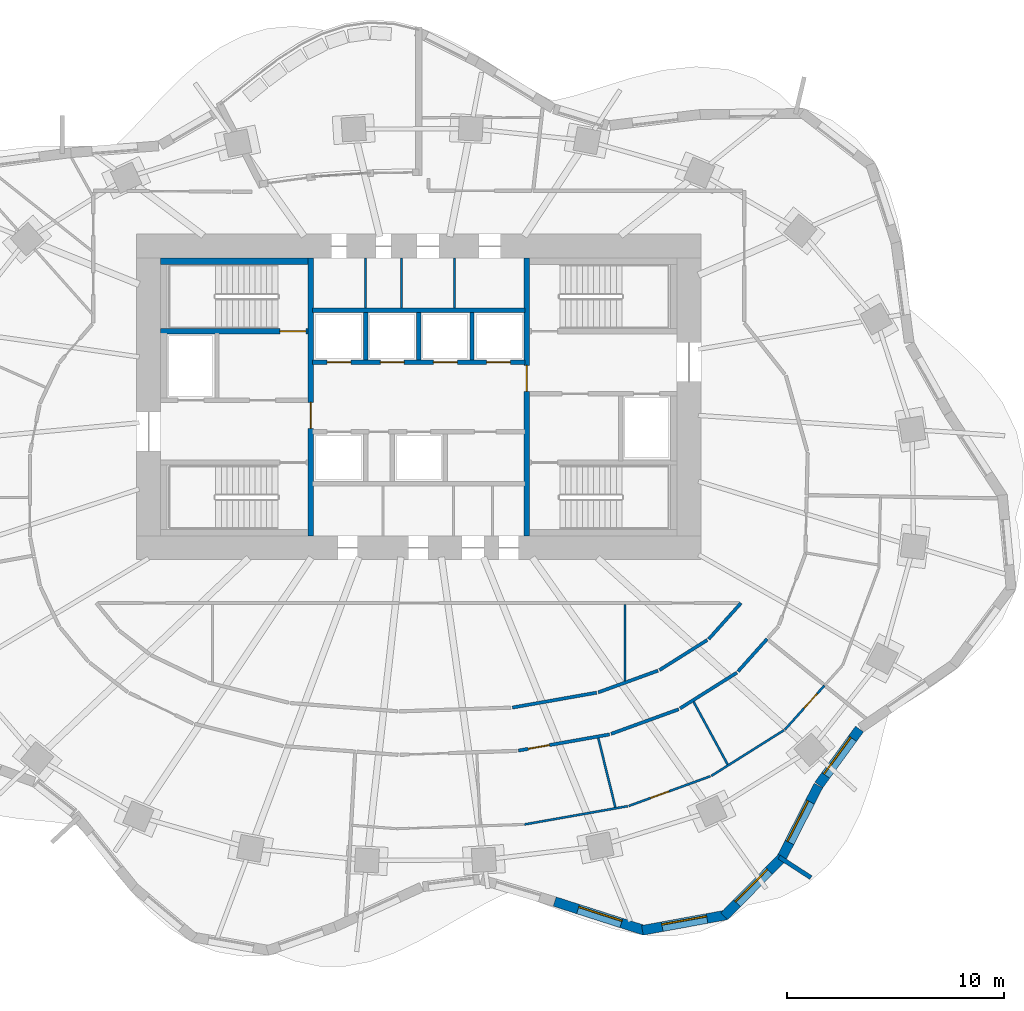
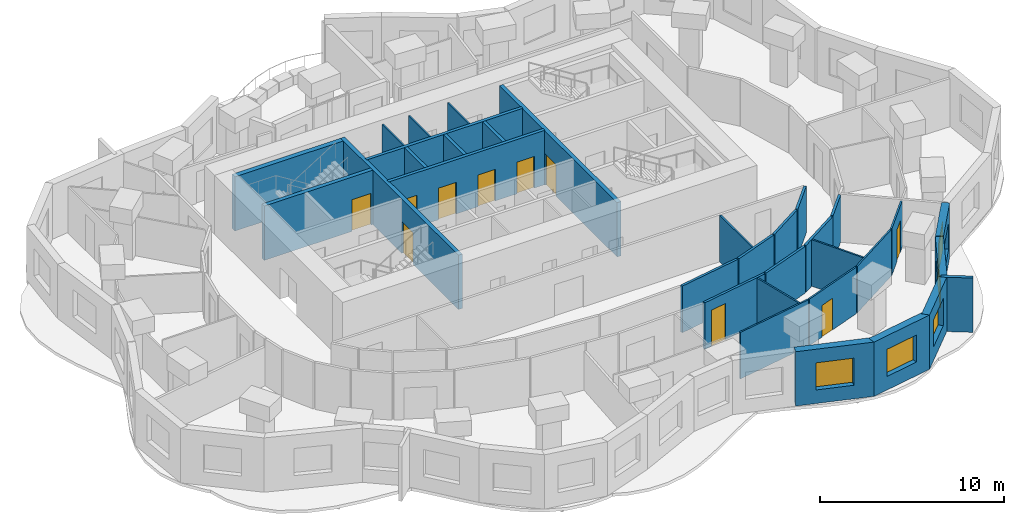
# One storey, part 7 of 11: 33 walls, 10 doors, 5 windows, 15 openings.
"""IFC4 building model written with IfcOpenShell, lengths in metres."""

from ifc_helpers import new_model, si_unit, direction, frame, frame_2d, origin, place, context, subcontext, project, spatial, rectangle, extrude, material, layer, layer_set, type_object, element, fill, save


model = new_model("IFC4")

# Units and contexts
model_context = context("Model", 3, precision=1e-05, world=origin(), true_north=direction((0.0, 1.0)))
body_context = subcontext(model_context, "Body", "Model", "MODEL_VIEW")
ifc_project = project(units=[si_unit("LENGTHUNIT", "METRE"), si_unit("AREAUNIT", "SQUARE_METRE"), si_unit("VOLUMEUNIT", "CUBIC_METRE"), si_unit("PLANEANGLEUNIT", "RADIAN"), si_unit("MASSUNIT", "GRAM", prefix="KILO")], contexts=[model_context])

# Site, building, storey
site_placement = place(None, origin())
site = spatial("IfcSite", under=ifc_project, at=site_placement, CompositionType="ELEMENT")
building_placement = place(site_placement, origin())
building = spatial("IfcBuilding", under=site, at=building_placement, Name="Rubra Terraces Tower", CompositionType="ELEMENT")
storey_placement = place(building_placement, frame((0.0, 0.0, 165.60009765625)))
storey = spatial("IfcBuildingStorey", under=building, at=storey_placement, Name="L40", CompositionType="ELEMENT", Elevation=165.60009765625)

# Wall, opening, window
ifc_material_1 = material(Name="Brick masonry red-brown", Category="masonry")
ifc_layer_1 = layer(ifc_material_1, 0.449951171875)
ifc_layer_set_1 = layer_set([ifc_layer_1], Name="Brick masonry red-brown")
wall_type_1 = type_object("IfcWallType", Name="Brick facade wall 450", PredefinedType="SOLIDWALL", material=ifc_layer_set_1)
wall_1_placement = place(storey_placement, frame((6.264404296875, -18.758544921875, 0.0), z_axis=(0.0, 0.0, 1.0), x_axis=(0.952259303219, -0.305290385423, 0.0)))
wall_1 = element("IfcWall", 1, at=wall_1_placement, inside=storey, type_object=wall_type_1, Name="Facade wall L40 bay 33", PredefinedType="SOLIDWALL", context=body_context, shape_type="SweptSolid", body=[
    extrude(rectangle(XDim=4.354248046875, YDim=0.449951171875, at=frame_2d((2.17724609375, 0.0))), origin(), (0.0, 0.0, 1.0), 3.599853515625),
])
opening_1_placement = place(wall_1_placement, frame((1.127197265625, 0.0, 0.89990234375)))
opening_1 = element("IfcOpeningElement", 2, at=opening_1_placement, cuts=wall_1, Name="Opening W1Z", PredefinedType="OPENING", context=body_context, shape_type="SweptSolid", body=[
    extrude(rectangle(XDim=2.10009765625, YDim=1.800048828125, at=frame_2d((1.050048828125, 0.89990234375))), frame((0.0, 0.23486328125, 0.0), z_axis=(0.0, -1.0, 0.0), x_axis=(1.0, 0.0, 0.0)), (0.0, 0.0, 1.0), 0.469970703125),
])
ifc_material_2 = material(Name="Clear glass in aluminium frame", Category="aluminium")
window_type = type_object("IfcWindowType", Name="Fixed deep-set window under transfer level 2100 x 1800", PartitioningType="SINGLE_PANEL", PredefinedType="WINDOW", material=ifc_material_2)
window_1_placement = place(opening_1_placement, origin())
window_1 = element("IfcWindow", 3, at=window_1_placement, inside=storey, type_object=window_type, Name="Window L40 bay 33", OverallHeight=1.800048828125, OverallWidth=2.10009765625, PartitioningType="SINGLE_PANEL", PredefinedType="WINDOW", context=body_context, shape_type="SweptSolid", body=[
    extrude(rectangle(XDim=2.10009765625, YDim=1.800048828125, at=frame_2d((1.050048828125, 0.89990234375))), frame((0.0, 0.135009765625, 0.0), z_axis=(0.0, -1.0, 0.0), x_axis=(1.0, 0.0, 0.0)), (0.0, 0.0, 1.0), 0.06005859375),
])
fill(opening_1, window_1)

wall_2_placement = place(storey_placement, frame((10.304443359375, -20.081787109375, 0.0), z_axis=(0.0, 0.0, 1.0), x_axis=(0.983644868335, 0.180118774698, 0.0)))
wall_2 = element("IfcWall", 4, at=wall_2_placement, inside=storey, type_object=wall_type_1, Name="Facade wall L40 bay 34", PredefinedType="SOLIDWALL", context=body_context, shape_type="SweptSolid", body=[
    extrude(rectangle(XDim=3.953857421875, YDim=0.449951171875, at=frame_2d((1.97705078125, 0.0))), origin(), (0.0, 0.0, 1.0), 3.599853515625),
])
opening_2_placement = place(wall_2_placement, frame((0.9267578125, 0.0, 0.89990234375)))
opening_2 = element("IfcOpeningElement", 5, at=opening_2_placement, cuts=wall_2, Name="Opening W1Z", PredefinedType="OPENING", context=body_context, shape_type="SweptSolid", body=[
    extrude(rectangle(XDim=2.10009765625, YDim=1.800048828125, at=frame_2d((1.050048828125, 0.89990234375))), frame((0.0, 0.23486328125, 0.0), z_axis=(0.0, -1.0, 0.0), x_axis=(1.0, 0.0, 0.0)), (0.0, 0.0, 1.0), 0.469970703125),
])
window_2_placement = place(opening_2_placement, origin())
window_2 = element("IfcWindow", 6, at=window_2_placement, inside=storey, type_object=window_type, Name="Window L40 bay 34", OverallHeight=1.800048828125, OverallWidth=2.10009765625, PartitioningType="SINGLE_PANEL", PredefinedType="WINDOW", context=body_context, shape_type="SweptSolid", body=[
    extrude(rectangle(XDim=2.10009765625, YDim=1.800048828125, at=frame_2d((1.050048828125, 0.89990234375))), frame((0.0, 0.135009765625, 0.0), z_axis=(0.0, -1.0, 0.0), x_axis=(1.0, 0.0, 0.0)), (0.0, 0.0, 1.0), 0.06005859375),
])
fill(opening_2, window_2)

wall_3_placement = place(storey_placement, frame((14.073974609375, -19.432861328125, 0.0), z_axis=(0.0, 0.0, 1.0), x_axis=(0.702451084622, 0.711732023808, 0.0)))
wall_3 = element("IfcWall", 7, at=wall_3_placement, inside=storey, type_object=wall_type_1, Name="Facade wall L40 bay 35", PredefinedType="SOLIDWALL", context=body_context, shape_type="SweptSolid", body=[
    extrude(rectangle(XDim=3.7880859375, YDim=0.449951171875, at=frame_2d((1.89404296875, 0.0))), origin(), (0.0, 0.0, 1.0), 3.599853515625),
])
opening_3_placement = place(wall_3_placement, frame((0.843994140625, 0.0, 0.89990234375)))
opening_3 = element("IfcOpeningElement", 8, at=opening_3_placement, cuts=wall_3, Name="Opening W1Z", PredefinedType="OPENING", context=body_context, shape_type="SweptSolid", body=[
    extrude(rectangle(XDim=2.10009765625, YDim=1.800048828125, at=frame_2d((1.050048828125, 0.89990234375))), frame((0.0, 0.23486328125, 0.0), z_axis=(0.0, -1.0, 0.0), x_axis=(1.0, 0.0, 0.0)), (0.0, 0.0, 1.0), 0.469970703125),
])
window_3_placement = place(opening_3_placement, origin())
window_3 = element("IfcWindow", 9, at=window_3_placement, inside=storey, type_object=window_type, Name="Window L40 bay 35", OverallHeight=1.800048828125, OverallWidth=2.10009765625, PartitioningType="SINGLE_PANEL", PredefinedType="WINDOW", context=body_context, shape_type="SweptSolid", body=[
    extrude(rectangle(XDim=2.10009765625, YDim=1.800048828125, at=frame_2d((1.050048828125, 0.89990234375))), frame((0.0, 0.135009765625, 0.0), z_axis=(0.0, -1.0, 0.0), x_axis=(1.0, 0.0, 0.0)), (0.0, 0.0, 1.0), 0.06005859375),
])
fill(opening_3, window_3)

wall_4_placement = place(storey_placement, frame((16.697021484375, -16.7880859375, 0.0), z_axis=(0.0, 0.0, 1.0), x_axis=(0.453390768189, 0.891311848525, 0.0)))
wall_4 = element("IfcWall", 10, at=wall_4_placement, inside=storey, type_object=wall_type_1, Name="Facade wall L40 bay 36", PredefinedType="SOLIDWALL", context=body_context, shape_type="SweptSolid", body=[
    extrude(rectangle(XDim=3.78759765625, YDim=0.449951171875, at=frame_2d((1.893798828125, 0.0))), origin(), (0.0, 0.0, 1.0), 3.599853515625),
])
opening_4_placement = place(wall_4_placement, frame((0.843994140625, 0.0, 0.89990234375)))
opening_4 = element("IfcOpeningElement", 11, at=opening_4_placement, cuts=wall_4, Name="Opening W1Z", PredefinedType="OPENING", context=body_context, shape_type="SweptSolid", body=[
    extrude(rectangle(XDim=2.10009765625, YDim=1.800048828125, at=frame_2d((1.050048828125, 0.89990234375))), frame((0.0, 0.23486328125, 0.0), z_axis=(0.0, -1.0, 0.0), x_axis=(1.0, 0.0, 0.0)), (0.0, 0.0, 1.0), 0.469970703125),
])
window_4_placement = place(opening_4_placement, origin())
window_4 = element("IfcWindow", 12, at=window_4_placement, inside=storey, type_object=window_type, Name="Window L40 bay 36", OverallHeight=1.800048828125, OverallWidth=2.10009765625, PartitioningType="SINGLE_PANEL", PredefinedType="WINDOW", context=body_context, shape_type="SweptSolid", body=[
    extrude(rectangle(XDim=2.10009765625, YDim=1.800048828125, at=frame_2d((1.050048828125, 0.89990234375))), frame((0.0, 0.135009765625, 0.0), z_axis=(0.0, -1.0, 0.0), x_axis=(1.0, 0.0, 0.0)), (0.0, 0.0, 1.0), 0.06005859375),
])
fill(opening_4, window_4)

wall_5_placement = place(storey_placement, frame((18.43408203125, -13.381103515625, 0.0), z_axis=(0.0, 0.0, 1.0), x_axis=(0.58867331001, 0.808371037384, 0.0)))
wall_5 = element("IfcWall", 13, at=wall_5_placement, inside=storey, type_object=wall_type_1, Name="Facade wall L40 bay 37", PredefinedType="SOLIDWALL", context=body_context, shape_type="SweptSolid", body=[
    extrude(rectangle(XDim=3.1826171875, YDim=0.449951171875, at=frame_2d((1.59130859375, 0.0))), origin(), (0.0, 0.0, 1.0), 3.599853515625),
])
opening_5_placement = place(wall_5_placement, frame((0.541259765625, 0.0, 0.89990234375)))
opening_5 = element("IfcOpeningElement", 14, at=opening_5_placement, cuts=wall_5, Name="Opening W1Z", PredefinedType="OPENING", context=body_context, shape_type="SweptSolid", body=[
    extrude(rectangle(XDim=2.10009765625, YDim=1.800048828125, at=frame_2d((1.050048828125, 0.89990234375))), frame((0.0, 0.23486328125, 0.0), z_axis=(0.0, -1.0, 0.0), x_axis=(1.0, 0.0, 0.0)), (0.0, 0.0, 1.0), 0.469970703125),
])
window_5_placement = place(opening_5_placement, origin())
window_5 = element("IfcWindow", 15, at=window_5_placement, inside=storey, type_object=window_type, Name="Window L40 bay 37", OverallHeight=1.800048828125, OverallWidth=2.10009765625, PartitioningType="SINGLE_PANEL", PredefinedType="WINDOW", context=body_context, shape_type="SweptSolid", body=[
    extrude(rectangle(XDim=2.10009765625, YDim=1.800048828125, at=frame_2d((1.050048828125, 0.89990234375))), frame((0.0, 0.135009765625, 0.0), z_axis=(0.0, -1.0, 0.0), x_axis=(1.0, 0.0, 0.0)), (0.0, 0.0, 1.0), 0.06005859375),
])
fill(opening_5, window_5)

# Wall
ifc_layer_2 = layer(ifc_material_1, 0.199951171875)
ifc_layer_set_2 = layer_set([ifc_layer_2], Name="Brick masonry red-brown")
wall_type_2 = type_object("IfcWallType", Name="Brick wind fin 200", PredefinedType="SOLIDWALL", material=ifc_layer_set_2)
wall_6_placement = place(storey_placement, frame((16.60205078125, -16.702880859375, 0.0), z_axis=(0.0, 0.0, 1.0), x_axis=(0.8390232549, -0.54409555938, 0.0)))
element("IfcWall", 16, at=wall_6_placement, inside=storey, type_object=wall_type_2, Name="Wind fin L40 18", PredefinedType="SOLIDWALL", context=body_context, shape_type="SweptSolid", body=[
    extrude(rectangle(XDim=1.75, YDim=0.199951171875, at=frame_2d((0.875, 0.0))), origin(), (0.0, 0.0, 1.0), 3.599853515625),
])

# Wall, opening, door
ifc_material_3 = material(Name="Plasterboard on steel stud, mineral wool infill", Category="steel")
ifc_layer_3 = layer(ifc_material_3, 0.14990234375)
ifc_layer_set_3 = layer_set([ifc_layer_3], Name="Plasterboard on steel stud, mineral wool infill")
wall_type_3 = type_object("IfcWallType", Name="CORRIDOR PARTITION 150", PredefinedType="PARTITIONING", material=ifc_layer_set_3)
wall_7_placement = place(storey_placement, frame((4.593505859375, -11.798583984375, 0.0), z_axis=(0.0, 0.0, 1.0), x_axis=(0.984693444773, 0.174295208833, 0.0)))
wall_7 = element("IfcWall", 17, at=wall_7_placement, inside=storey, type_object=wall_type_3, Name="PARTITION", PredefinedType="PARTITIONING", context=body_context, shape_type="SweptSolid", body=[
    extrude(rectangle(XDim=4.260986328125, YDim=0.14990234375, at=frame_2d((2.13037109375, 0.0))), origin(), (0.0, 0.0, 1.0), 3.097900390625),
])
opening_6_placement = place(wall_7_placement, frame((0.449951171875, 0.0, 0.0)))
opening_6 = element("IfcOpeningElement", 18, at=opening_6_placement, cuts=wall_7, Name="Opening 40-112", PredefinedType="OPENING", context=body_context, shape_type="SweptSolid", body=[
    extrude(rectangle(XDim=1.0, YDim=2.39990234375, at=frame_2d((0.5, 1.199951171875))), frame((0.0, 0.0849609375, 0.0), z_axis=(0.0, -1.0, 0.0), x_axis=(1.0, 0.0, 0.0)), (0.0, 0.0, 1.0), 0.169921875),
])
ifc_material_4 = material(Name="Glazed aluminium meeting door leaf", Category="aluminium")
door_type_1 = type_object("IfcDoorType", Name="MEETING ROOM GLAZED DOOR 1000 X 2400", OperationType="SINGLE_SWING_LEFT", PredefinedType="DOOR", material=ifc_material_4)
door_1_placement = place(opening_6_placement, origin())
door_1 = element("IfcDoor", 19, at=door_1_placement, inside=storey, type_object=door_type_1, Name="DOOR 40-112", OperationType="SINGLE_SWING_RIGHT", OverallHeight=2.39990234375, OverallWidth=1.0, PredefinedType="DOOR", context=body_context, shape_type="SweptSolid", body=[
    extrude(rectangle(XDim=1.0, YDim=2.39990234375, at=frame_2d((0.5, 1.199951171875))), frame((0.0, 0.02490234375, 0.0), z_axis=(0.0, -1.0, 0.0), x_axis=(1.0, 0.0, 0.0)), (0.0, 0.0, 1.0), 0.050048828125),
])
fill(opening_6, door_1)

# Walls
wall_8_placement = place(storey_placement, frame((8.85986328125, -11.030029296875, 0.0), z_axis=(0.0, 0.0, 1.0), x_axis=(0.939685902536, 0.342038601001, 0.0)))
element("IfcWall", 20, at=wall_8_placement, inside=storey, type_object=wall_type_3, Name="PARTITION", PredefinedType="PARTITIONING", context=body_context, shape_type="SweptSolid", body=[
    extrude(rectangle(XDim=3.316162109375, YDim=0.14990234375, at=frame_2d((1.658203125, 0.0))), origin(), (0.0, 0.0, 1.0), 3.097900390625),
])
wall_9_placement = place(storey_placement, frame((12.03955078125, -9.85595703125, 0.0), z_axis=(0.0, 0.0, 1.0), x_axis=(0.846394809937, 0.532555936697, 0.0)))
element("IfcWall", 21, at=wall_9_placement, inside=storey, type_object=wall_type_3, Name="PARTITION", PredefinedType="PARTITIONING", context=body_context, shape_type="SweptSolid", body=[
    extrude(rectangle(XDim=3.09521484375, YDim=0.14990234375, at=frame_2d((1.547607421875, 0.0))), origin(), (0.0, 0.0, 1.0), 3.097900390625),
])
wall_10_placement = place(storey_placement, frame((14.70947265625, -8.151611328125, 0.0), z_axis=(0.0, 0.0, 1.0), x_axis=(0.667345221437, 0.744748518243, 0.0)))
element("IfcWall", 22, at=wall_10_placement, inside=storey, type_object=wall_type_3, Name="PARTITION", PredefinedType="PARTITIONING", context=body_context, shape_type="SweptSolid", body=[
    extrude(rectangle(XDim=2.00927734375, YDim=0.14990234375, at=frame_2d((1.004638671875, 0.0))), origin(), (0.0, 0.0, 1.0), 3.097900390625),
])
wall_11_placement = place(storey_placement, frame((14.847900390625, -5.0, 0.0), z_axis=(0.0, 0.0, 1.0), x_axis=(-0.667363249373, -0.744732363595, 0.0)))
element("IfcWall", 23, at=wall_11_placement, inside=storey, type_object=wall_type_3, Name="PARTITION", PredefinedType="PARTITIONING", context=body_context, shape_type="SweptSolid", body=[
    extrude(rectangle(XDim=2.234130859375, YDim=0.14990234375, at=frame_2d((1.1171875, 0.0))), origin(), (0.0, 0.0, 1.0), 3.097900390625),
])
wall_12_placement = place(storey_placement, frame((13.29345703125, -6.703857421875, 0.0), z_axis=(0.0, 0.0, 1.0), x_axis=(-0.84641299998, -0.532527026041, 0.0)))
element("IfcWall", 24, at=wall_12_placement, inside=storey, type_object=wall_type_3, Name="PARTITION", PredefinedType="PARTITIONING", context=body_context, shape_type="SweptSolid", body=[
    extrude(rectangle(XDim=2.601806640625, YDim=0.14990234375, at=frame_2d((1.30078125, 0.0))), origin(), (0.0, 0.0, 1.0), 3.097900390625),
])
wall_13_placement = place(storey_placement, frame((11.02099609375, -8.114990234375, 0.0), z_axis=(0.0, 0.0, 1.0), x_axis=(-0.939683845313, -0.342044252778, 0.0)))
element("IfcWall", 25, at=wall_13_placement, inside=storey, type_object=wall_type_3, Name="PARTITION", PredefinedType="PARTITIONING", context=body_context, shape_type="SweptSolid", body=[
    extrude(rectangle(XDim=2.9287109375, YDim=0.14990234375, at=frame_2d((1.46435546875, 0.0))), origin(), (0.0, 0.0, 1.0), 3.097900390625),
])
wall_14_placement = place(storey_placement, frame((8.1953125, -9.1298828125, 0.0), z_axis=(0.0, 0.0, 1.0), x_axis=(-0.9846880937, -0.174325437403, 0.0)))
element("IfcWall", 26, at=wall_14_placement, inside=storey, type_object=wall_type_3, Name="PARTITION", PredefinedType="PARTITIONING", context=body_context, shape_type="SweptSolid", body=[
    extrude(rectangle(XDim=3.945068359375, YDim=0.14990234375, at=frame_2d((1.97265625, 0.0))), origin(), (0.0, 0.0, 1.0), 3.097900390625),
])
ifc_material_5 = material(Name="Concrete C40", Category="concrete")
ifc_layer_4 = layer(ifc_material_5, 0.300048828125)
ifc_layer_set_4 = layer_set([ifc_layer_4], Name="Concrete C40")
wall_type_4 = type_object("IfcWallType", Name="Core lining wall 300 concrete", PredefinedType="SOLIDWALL", material=ifc_layer_set_4)
wall_15_placement = place(storey_placement, frame((-11.89990234375, 10.75, 0.0), z_axis=(0.0, 0.0, 1.0), x_axis=(1.0, 0.0, 0.0)))
element("IfcWall", 27, at=wall_15_placement, inside=storey, type_object=wall_type_4, Name="CORE LINING WALL L40", PredefinedType="SOLIDWALL", context=body_context, shape_type="SweptSolid", body=[
    extrude(rectangle(XDim=6.7998046875, YDim=0.300048828125, at=frame_2d((3.39990234375, 0.0))), origin(), (0.0, 0.0, 1.0), 3.599853515625),
])

# Wall, openings, doors
ifc_material_6 = material(Name="Concrete C30", Category="concrete")
ifc_layer_5 = layer(ifc_material_6, 0.199951171875)
ifc_layer_set_5 = layer_set([ifc_layer_5], Name="Concrete C30")
wall_type_5 = type_object("IfcWallType", Name="Core wall 200 concrete", PredefinedType="SOLIDWALL", material=ifc_layer_set_5)
wall_16_placement = place(storey_placement, frame((-4.89990234375, 6.10009765625, 0.0), z_axis=(0.0, 0.0, 1.0), x_axis=(1.0, 0.0, 0.0)))
wall_16 = element("IfcWall", 28, at=wall_16_placement, inside=storey, type_object=wall_type_5, Name="LIFT SHAFT WALL L40", PredefinedType="SOLIDWALL", context=body_context, shape_type="SweptSolid", body=[
    extrude(rectangle(XDim=9.7998046875, YDim=0.199951171875, at=frame_2d((4.89990234375, 0.0))), origin(), (0.0, 0.0, 1.0), 3.599853515625),
])
opening_7_placement = place(wall_16_placement, frame((0.675048828125, 0.0, 0.0)))
opening_7 = element("IfcOpeningElement", 29, at=opening_7_placement, cuts=wall_16, Name="Opening L40.C17", PredefinedType="OPENING", context=body_context, shape_type="SweptSolid", body=[
    extrude(rectangle(XDim=1.10009765625, YDim=2.10009765625, at=frame_2d((0.550048828125, 1.050048828125))), frame((0.0, 0.10986328125, 0.0), z_axis=(0.0, -1.0, 0.0), x_axis=(1.0, 0.0, 0.0)), (0.0, 0.0, 1.0), 0.219970703125),
])
opening_8_placement = place(wall_16_placement, frame((3.125, 0.0, 0.0)))
opening_8 = element("IfcOpeningElement", 30, at=opening_8_placement, cuts=wall_16, Name="Opening L40.C18", PredefinedType="OPENING", context=body_context, shape_type="SweptSolid", body=[
    extrude(rectangle(XDim=1.10009765625, YDim=2.10009765625, at=frame_2d((0.550048828125, 1.050048828125))), frame((0.0, 0.10986328125, 0.0), z_axis=(0.0, -1.0, 0.0), x_axis=(1.0, 0.0, 0.0)), (0.0, 0.0, 1.0), 0.219970703125),
])
opening_9_placement = place(wall_16_placement, frame((5.574951171875, 0.0, 0.0)))
opening_9 = element("IfcOpeningElement", 31, at=opening_9_placement, cuts=wall_16, Name="Opening L40.C19", PredefinedType="OPENING", context=body_context, shape_type="SweptSolid", body=[
    extrude(rectangle(XDim=1.10009765625, YDim=2.10009765625, at=frame_2d((0.550048828125, 1.050048828125))), frame((0.0, 0.10986328125, 0.0), z_axis=(0.0, -1.0, 0.0), x_axis=(1.0, 0.0, 0.0)), (0.0, 0.0, 1.0), 0.219970703125),
])
opening_10_placement = place(wall_16_placement, frame((8.02490234375, 0.0, 0.0)))
opening_10 = element("IfcOpeningElement", 32, at=opening_10_placement, cuts=wall_16, Name="Opening L40.C20", PredefinedType="OPENING", context=body_context, shape_type="SweptSolid", body=[
    extrude(rectangle(XDim=1.10009765625, YDim=2.10009765625, at=frame_2d((0.550048828125, 1.050048828125))), frame((0.0, 0.10986328125, 0.0), z_axis=(0.0, -1.0, 0.0), x_axis=(1.0, 0.0, 0.0)), (0.0, 0.0, 1.0), 0.219970703125),
])
ifc_material_7 = material(Name="Stainless steel", Category="steel")
door_type_2 = type_object("IfcDoorType", Name="Lift landing door 1100x2100", OperationType="NOTDEFINED", PredefinedType="DOOR", material=ifc_material_7)
door_2_placement = place(opening_7_placement, origin())
door_2 = element("IfcDoor", 33, at=door_2_placement, inside=storey, type_object=door_type_2, Name="Landing door HB3", OperationType="SLIDING_TO_RIGHT", OverallHeight=2.10009765625, OverallWidth=1.10009765625, PredefinedType="DOOR", context=body_context, shape_type="SweptSolid", body=[
    extrude(rectangle(XDim=1.10009765625, YDim=2.10009765625, at=frame_2d((0.550048828125, 1.050048828125))), frame((0.0, 0.02490234375, 0.0), z_axis=(0.0, -1.0, 0.0), x_axis=(1.0, 0.0, 0.0)), (0.0, 0.0, 1.0), 0.050048828125),
])
fill(opening_7, door_2)
door_3_placement = place(opening_8_placement, origin())
door_3 = element("IfcDoor", 34, at=door_3_placement, inside=storey, type_object=door_type_2, Name="Landing door HB4", OperationType="SLIDING_TO_LEFT", OverallHeight=2.10009765625, OverallWidth=1.10009765625, PredefinedType="DOOR", context=body_context, shape_type="SweptSolid", body=[
    extrude(rectangle(XDim=1.10009765625, YDim=2.10009765625, at=frame_2d((0.550048828125, 1.050048828125))), frame((0.0, 0.02490234375, 0.0), z_axis=(0.0, -1.0, 0.0), x_axis=(1.0, 0.0, 0.0)), (0.0, 0.0, 1.0), 0.050048828125),
])
fill(opening_8, door_3)
door_4_placement = place(opening_9_placement, origin())
door_4 = element("IfcDoor", 35, at=door_4_placement, inside=storey, type_object=door_type_2, Name="Landing door HB5", OperationType="SLIDING_TO_RIGHT", OverallHeight=2.10009765625, OverallWidth=1.10009765625, PredefinedType="DOOR", context=body_context, shape_type="SweptSolid", body=[
    extrude(rectangle(XDim=1.10009765625, YDim=2.10009765625, at=frame_2d((0.550048828125, 1.050048828125))), frame((0.0, 0.02490234375, 0.0), z_axis=(0.0, -1.0, 0.0), x_axis=(1.0, 0.0, 0.0)), (0.0, 0.0, 1.0), 0.050048828125),
])
fill(opening_9, door_4)
door_5_placement = place(opening_10_placement, origin())
door_5 = element("IfcDoor", 36, at=door_5_placement, inside=storey, type_object=door_type_2, Name="Landing door HB6", OperationType="SLIDING_TO_LEFT", OverallHeight=2.10009765625, OverallWidth=1.10009765625, PredefinedType="DOOR", context=body_context, shape_type="SweptSolid", body=[
    extrude(rectangle(XDim=1.10009765625, YDim=2.10009765625, at=frame_2d((0.550048828125, 1.050048828125))), frame((0.0, 0.02490234375, 0.0), z_axis=(0.0, -1.0, 0.0), x_axis=(1.0, 0.0, 0.0)), (0.0, 0.0, 1.0), 0.050048828125),
])
fill(opening_10, door_5)

# Walls
wall_17_placement = place(storey_placement, frame((-4.89990234375, 8.5, 0.0), z_axis=(0.0, 0.0, 1.0), x_axis=(1.0, 0.0, 0.0)))
element("IfcWall", 37, at=wall_17_placement, inside=storey, type_object=wall_type_5, Name="LIFT SHAFT WALL L40", PredefinedType="SOLIDWALL", context=body_context, shape_type="SweptSolid", body=[
    extrude(rectangle(XDim=9.7998046875, YDim=0.199951171875, at=frame_2d((4.89990234375, 0.0))), origin(), (0.0, 0.0, 1.0), 3.599853515625),
])
for number, where, z_axis, x_axis, name in (
    (38, (-2.449951171875, 6.199951171875, 0.0), (0.0, 0.0, 1.0), (0.0, 1.0, 0.0), "LIFT SHAFT WALL L40"),
    (39, (0.0, 6.199951171875, 0.0), (0.0, 0.0, 1.0), (0.0, 1.0, 0.0), "LIFT SHAFT WALL L40"),
    (40, (2.449951171875, 6.199951171875, 0.0), (0.0, 0.0, 1.0), (0.0, 1.0, 0.0), "LIFT SHAFT WALL L40"),
):
    element("IfcWall", number, at=place(storey_placement, frame(where, z_axis=z_axis, x_axis=x_axis)), inside=storey, type_object=wall_type_5, Name=name, PredefinedType="SOLIDWALL", context=body_context, shape_type="SweptSolid", body=[
        extrude(rectangle(XDim=2.199951171875, YDim=0.199951171875, at=frame_2d((1.10009765625, 0.0))), origin(), (0.0, 0.0, 1.0), 3.599853515625),
    ])

# Wall, opening, door
ifc_material_8 = material(Name="Plasterboard on steel stud", Category="steel")
ifc_layer_6 = layer(ifc_material_8, 0.10009765625)
ifc_layer_set_6 = layer_set([ifc_layer_6], Name="Plasterboard on steel stud")
wall_type_6 = type_object("IfcWallType", Name="ROOM PARTITION 100", PredefinedType="PARTITIONING", material=ifc_layer_set_6)
wall_18_placement = place(storey_placement, frame((18.689208984375, -8.804931640625, 0.0), z_axis=(0.0, 0.0, 1.0), x_axis=(-0.667327137391, -0.74476472238, 0.0)))
wall_18 = element("IfcWall", 41, at=wall_18_placement, inside=storey, type_object=wall_type_6, Name="PARTITION", PredefinedType="PARTITIONING", context=body_context, shape_type="SweptSolid", body=[
    extrude(rectangle(XDim=2.720703125, YDim=0.10009765625, at=frame_2d((1.3603515625, 0.0))), origin(), (0.0, 0.0, 1.0), 3.083984375),
])
opening_11_placement = place(wall_18_placement, frame((0.5, 0.0, 0.0)))
opening_11 = element("IfcOpeningElement", 42, at=opening_11_placement, cuts=wall_18, Name="Opening 40-114", PredefinedType="OPENING", context=body_context, shape_type="SweptSolid", body=[
    extrude(rectangle(XDim=0.89990234375, YDim=2.10009765625, at=frame_2d((0.449951171875, 1.050048828125))), frame((0.0, 0.06005859375, 0.0), z_axis=(0.0, -1.0, 0.0), x_axis=(1.0, 0.0, 0.0)), (0.0, 0.0, 1.0), 0.1201171875),
])
ifc_material_9 = material(Name="Painted timber door leaf", Category="wood")
door_type_3 = type_object("IfcDoorType", Name="ROOM DOOR 900 X 2100", OperationType="SINGLE_SWING_LEFT", PredefinedType="DOOR", material=ifc_material_9)
door_6_placement = place(opening_11_placement, origin())
door_6 = element("IfcDoor", 43, at=door_6_placement, inside=storey, type_object=door_type_3, Name="DOOR 40-114", OperationType="SINGLE_SWING_LEFT", OverallHeight=2.10009765625, OverallWidth=0.89990234375, PredefinedType="DOOR", context=body_context, shape_type="SweptSolid", body=[
    extrude(rectangle(XDim=0.89990234375, YDim=2.10009765625, at=frame_2d((0.449951171875, 1.050048828125))), frame((0.0, 0.02490234375, 0.0), z_axis=(0.0, -1.0, 0.0), x_axis=(1.0, 0.0, 0.0)), (0.0, 0.0, 1.0), 0.050048828125),
])
fill(opening_11, door_6)

# Wall
wall_19_placement = place(storey_placement, frame((16.831298828125, -10.85791015625, 0.0), z_axis=(0.0, 0.0, 1.0), x_axis=(-0.846415033443, -0.532523793987, 0.0)))
element("IfcWall", 44, at=wall_19_placement, inside=storey, type_object=wall_type_6, Name="PARTITION", PredefinedType="PARTITIONING", context=body_context, shape_type="SweptSolid", body=[
    extrude(rectangle(XDim=3.959716796875, YDim=0.10009765625, at=frame_2d((1.97998046875, 0.0))), origin(), (0.0, 0.0, 1.0), 3.083984375),
])

# Wall, opening, door
wall_20_placement = place(storey_placement, frame((13.432861328125, -12.983642578125, 0.0), z_axis=(0.0, 0.0, 1.0), x_axis=(-0.939673979614, -0.342071355182, 0.0)))
wall_20 = element("IfcWall", 45, at=wall_20_placement, inside=storey, type_object=wall_type_6, Name="PARTITION", PredefinedType="PARTITIONING", context=body_context, shape_type="SweptSolid", body=[
    extrude(rectangle(XDim=4.000244140625, YDim=0.10009765625, at=frame_2d((2.0, 0.0))), origin(), (0.0, 0.0, 1.0), 3.083984375),
])
opening_12_placement = place(wall_20_placement, frame((2.031005859375, 0.0, 0.0)))
opening_12 = element("IfcOpeningElement", 46, at=opening_12_placement, cuts=wall_20, Name="Opening 40-113", PredefinedType="OPENING", context=body_context, shape_type="SweptSolid", body=[
    extrude(rectangle(XDim=0.89990234375, YDim=2.10009765625, at=frame_2d((0.449951171875, 1.050048828125))), frame((0.0, 0.06005859375, 0.0), z_axis=(0.0, -1.0, 0.0), x_axis=(1.0, 0.0, 0.0)), (0.0, 0.0, 1.0), 0.1201171875),
])
door_7_placement = place(opening_12_placement, origin())
door_7 = element("IfcDoor", 47, at=door_7_placement, inside=storey, type_object=door_type_3, Name="DOOR 40-113", OperationType="SINGLE_SWING_LEFT", OverallHeight=2.10009765625, OverallWidth=0.89990234375, PredefinedType="DOOR", context=body_context, shape_type="SweptSolid", body=[
    extrude(rectangle(XDim=0.89990234375, YDim=2.10009765625, at=frame_2d((0.449951171875, 1.050048828125))), frame((0.0, 0.02490234375, 0.0), z_axis=(0.0, -1.0, 0.0), x_axis=(1.0, 0.0, 0.0)), (0.0, 0.0, 1.0), 0.050048828125),
])
fill(opening_12, door_7)

# Walls
wall_21_placement = place(storey_placement, frame((9.624755859375, -14.36083984375, 0.0), z_axis=(0.0, 0.0, 1.0), x_axis=(-0.984691710098, -0.174305008716, 0.0)))
element("IfcWall", 48, at=wall_21_placement, inside=storey, type_object=wall_type_6, Name="PARTITION", PredefinedType="PARTITIONING", context=body_context, shape_type="SweptSolid", body=[
    extrude(rectangle(XDim=4.82373046875, YDim=0.10009765625, at=frame_2d((2.411865234375, 0.0))), origin(), (0.0, 0.0, 1.0), 3.083984375),
])
wall_22_placement = place(storey_placement, frame((8.27099609375, -11.223388671875, 0.0), z_axis=(0.0, 0.0, 1.0), x_axis=(0.239472113502, -0.970903242787, 0.0)))
element("IfcWall", 49, at=wall_22_placement, inside=storey, type_object=wall_type_6, Name="PARTITION", PredefinedType="PARTITIONING", context=body_context, shape_type="SweptSolid", body=[
    extrude(rectangle(XDim=3.28271484375, YDim=0.10009765625, at=frame_2d((1.641357421875, 0.0))), origin(), (0.0, 0.0, 1.0), 3.083984375),
])
wall_23_placement = place(storey_placement, frame((12.662841796875, -9.552001953125, 0.0), z_axis=(0.0, 0.0, 1.0), x_axis=(0.477480862917, -0.878642148743, 0.0)))
element("IfcWall", 50, at=wall_23_placement, inside=storey, type_object=wall_type_6, Name="PARTITION", PredefinedType="PARTITIONING", context=body_context, shape_type="SweptSolid", body=[
    extrude(rectangle(XDim=3.281982421875, YDim=0.10009765625, at=frame_2d((1.64111328125, 0.0))), origin(), (0.0, 0.0, 1.0), 3.083984375),
])
wall_24_placement = place(storey_placement, frame((9.5, -8.59375, 0.0), z_axis=(0.0, 0.0, 1.0), x_axis=(0.0, 1.0, 0.0)))
element("IfcWall", 51, at=wall_24_placement, inside=storey, type_object=wall_type_6, Name="PARTITION", PredefinedType="PARTITIONING", context=body_context, shape_type="SweptSolid", body=[
    extrude(rectangle(XDim=3.518798828125, YDim=0.10009765625, at=frame_2d((1.75927734375, 0.0))), origin(), (0.0, 0.0, 1.0), 3.083984375),
])
ifc_material_10 = material(Name="Blockwork", Category="masonry")
ifc_layer_7 = layer(ifc_material_10, 0.10009765625)
ifc_layer_set_7 = layer_set([ifc_layer_7], Name="Blockwork")
wall_type_7 = type_object("IfcWallType", Name="Service partition 100 blockwork", PredefinedType="PARTITIONING", material=ifc_layer_set_7)
for number, where, z_axis, x_axis, name in (
    (52, (-2.449951171875, 8.60009765625, 0.0), (0.0, 0.0, 1.0), (0.0, 1.0, 0.0), "SERVICE ROOM PARTITION L40"),
    (53, (-0.800048828125, 8.60009765625, 0.0), (0.0, 0.0, 1.0), (0.0, 1.0, 0.0), "SERVICE ROOM PARTITION L40"),
    (54, (1.64990234375, 8.60009765625, 0.0), (0.0, 0.0, 1.0), (0.0, 1.0, 0.0), "SERVICE ROOM PARTITION L40"),
):
    element("IfcWall", number, at=place(storey_placement, frame(where, z_axis=z_axis, x_axis=x_axis)), inside=storey, type_object=wall_type_7, Name=name, PredefinedType="PARTITIONING", context=body_context, shape_type="SweptSolid", body=[
        extrude(rectangle(XDim=2.2998046875, YDim=0.10009765625, at=frame_2d((1.14990234375, 0.0))), origin(), (0.0, 0.0, 1.0), 3.599853515625),
    ])

# Wall, opening, door
ifc_layer_8 = layer(ifc_material_5, 0.25)
ifc_layer_set_8 = layer_set([ifc_layer_8], Name="Concrete C40")
wall_type_8 = type_object("IfcWallType", Name="Stair enclosure wall 250 concrete", PredefinedType="SOLIDWALL", material=ifc_layer_set_8)
wall_25_placement = place(storey_placement, frame((-11.89990234375, 7.52490234375, 0.0), z_axis=(0.0, 0.0, 1.0), x_axis=(1.0, 0.0, 0.0)))
wall_25 = element("IfcWall", 55, at=wall_25_placement, inside=storey, type_object=wall_type_8, Name="STAIR WALL L40", PredefinedType="SOLIDWALL", context=body_context, shape_type="SweptSolid", body=[
    extrude(rectangle(XDim=6.7998046875, YDim=0.25, at=frame_2d((3.39990234375, 0.0))), origin(), (0.0, 0.0, 1.0), 3.599853515625),
])
opening_13_placement = place(wall_25_placement, frame((5.5, 0.0, 0.0)))
opening_13 = element("IfcOpeningElement", 56, at=opening_13_placement, cuts=wall_25, Name="Opening L40.C09", PredefinedType="OPENING", context=body_context, shape_type="SweptSolid", body=[
    extrude(rectangle(XDim=1.199951171875, YDim=2.10009765625, at=frame_2d((0.60009765625, 1.050048828125))), frame((0.0, 0.135009765625, 0.0), z_axis=(0.0, -1.0, 0.0), x_axis=(1.0, 0.0, 0.0)), (0.0, 0.0, 1.0), 0.27001953125),
])
ifc_material_11 = material(Name="Painted steel", Category="steel")
door_type_4 = type_object("IfcDoorType", Name="Fire door 1200x2100 single", OperationType="NOTDEFINED", PredefinedType="DOOR", material=ifc_material_11)
door_8_placement = place(opening_13_placement, origin())
door_8 = element("IfcDoor", 57, at=door_8_placement, inside=storey, type_object=door_type_4, Name="Stair door S2", OperationType="SINGLE_SWING_LEFT", OverallHeight=2.10009765625, OverallWidth=1.199951171875, PredefinedType="DOOR", context=body_context, shape_type="SweptSolid", body=[
    extrude(rectangle(XDim=1.199951171875, YDim=2.10009765625, at=frame_2d((0.60009765625, 1.050048828125))), frame((0.0, 0.02490234375, 0.0), z_axis=(0.0, -1.0, 0.0), x_axis=(1.0, 0.0, 0.0)), (0.0, 0.0, 1.0), 0.050048828125),
])
fill(opening_13, door_8)

wall_26_placement = place(storey_placement, frame((-4.97509765625, -1.89990234375, 0.0), z_axis=(0.0, 0.0, 1.0), x_axis=(0.0, 1.0, 0.0)))
wall_26 = element("IfcWall", 58, at=wall_26_placement, inside=storey, type_object=wall_type_8, Name="CORE LOBBY WALL L40", PredefinedType="SOLIDWALL", context=body_context, shape_type="SweptSolid", body=[
    extrude(rectangle(XDim=12.7998046875, YDim=0.25, at=frame_2d((6.39990234375, 0.0))), origin(), (0.0, 0.0, 1.0), 3.599853515625),
])
opening_14_placement = place(wall_26_placement, frame((4.949951171875, 0.0, 0.0)))
opening_14 = element("IfcOpeningElement", 59, at=opening_14_placement, cuts=wall_26, Name="Opening L40.C03", PredefinedType="OPENING", context=body_context, shape_type="SweptSolid", body=[
    extrude(rectangle(XDim=1.199951171875, YDim=2.10009765625, at=frame_2d((0.60009765625, 1.050048828125))), frame((0.0, 0.135009765625, 0.0), z_axis=(0.0, -1.0, 0.0), x_axis=(1.0, 0.0, 0.0)), (0.0, 0.0, 1.0), 0.27001953125),
])
door_9_placement = place(opening_14_placement, origin())
door_9 = element("IfcDoor", 60, at=door_9_placement, inside=storey, type_object=door_type_4, Name="Firefighting lobby door FF1", OperationType="SINGLE_SWING_LEFT", OverallHeight=2.10009765625, OverallWidth=1.199951171875, PredefinedType="DOOR", context=body_context, shape_type="SweptSolid", body=[
    extrude(rectangle(XDim=1.199951171875, YDim=2.10009765625, at=frame_2d((0.60009765625, 1.050048828125))), frame((0.0, 0.02490234375, 0.0), z_axis=(0.0, -1.0, 0.0), x_axis=(1.0, 0.0, 0.0)), (0.0, 0.0, 1.0), 0.050048828125),
])
fill(opening_14, door_9)

wall_27_placement = place(storey_placement, frame((4.97509765625, 10.89990234375, 0.0), z_axis=(0.0, 0.0, 1.0), x_axis=(0.0, -1.0, 0.0)))
wall_27 = element("IfcWall", 61, at=wall_27_placement, inside=storey, type_object=wall_type_8, Name="CORE LOBBY WALL L40", PredefinedType="SOLIDWALL", context=body_context, shape_type="SweptSolid", body=[
    extrude(rectangle(XDim=12.7998046875, YDim=0.25, at=frame_2d((6.39990234375, 0.0))), origin(), (0.0, 0.0, 1.0), 3.599853515625),
])
opening_15_placement = place(wall_27_placement, frame((4.949951171875, 0.0, 0.0)))
opening_15 = element("IfcOpeningElement", 62, at=opening_15_placement, cuts=wall_27, Name="Opening L40.C04", PredefinedType="OPENING", context=body_context, shape_type="SweptSolid", body=[
    extrude(rectangle(XDim=1.199951171875, YDim=2.10009765625, at=frame_2d((0.60009765625, 1.050048828125))), frame((0.0, 0.135009765625, 0.0), z_axis=(0.0, -1.0, 0.0), x_axis=(1.0, 0.0, 0.0)), (0.0, 0.0, 1.0), 0.27001953125),
])
door_10_placement = place(opening_15_placement, origin())
door_10 = element("IfcDoor", 63, at=door_10_placement, inside=storey, type_object=door_type_4, Name="Firefighting lobby door FF2", OperationType="SINGLE_SWING_RIGHT", OverallHeight=2.10009765625, OverallWidth=1.199951171875, PredefinedType="DOOR", context=body_context, shape_type="SweptSolid", body=[
    extrude(rectangle(XDim=1.199951171875, YDim=2.10009765625, at=frame_2d((0.60009765625, 1.050048828125))), frame((0.0, 0.02490234375, 0.0), z_axis=(0.0, -1.0, 0.0), x_axis=(1.0, 0.0, 0.0)), (0.0, 0.0, 1.0), 0.050048828125),
])
fill(opening_15, door_10)

save(model, "model.ifc")
